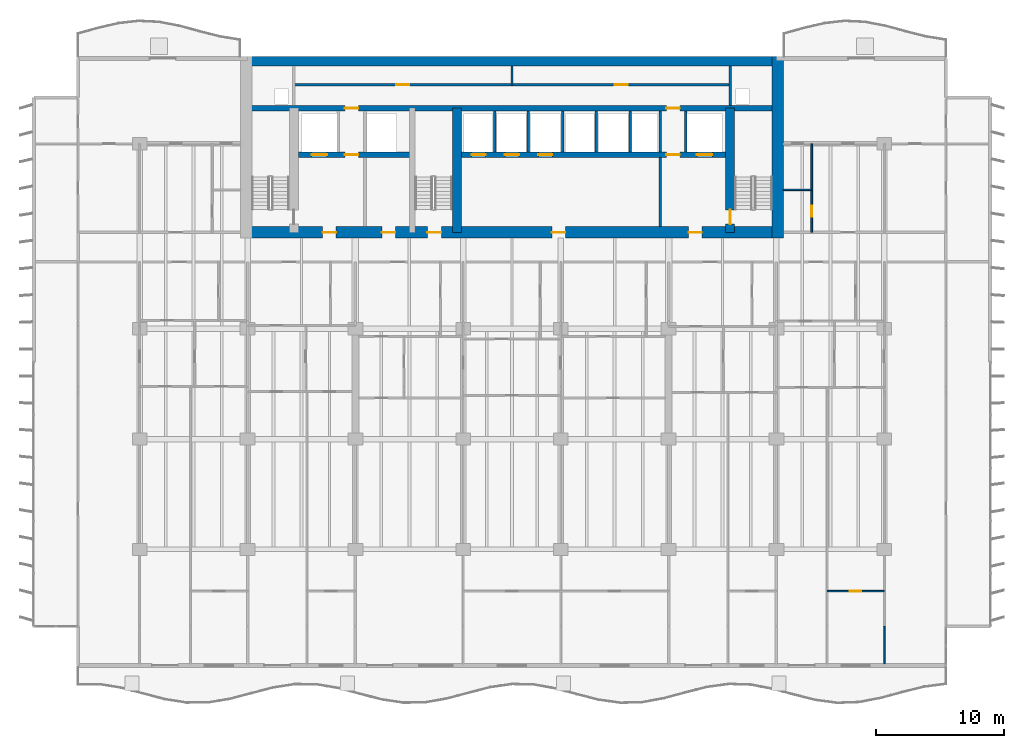
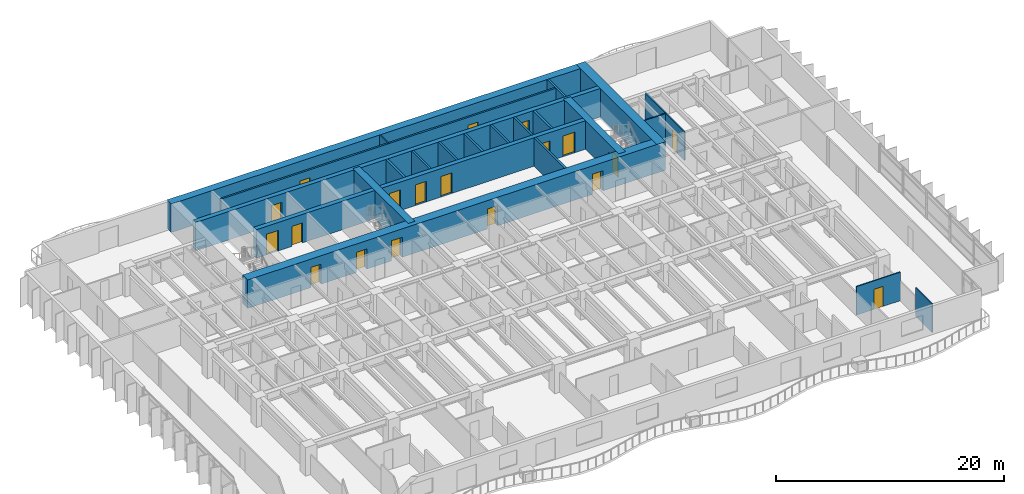
# One storey, part 11 of 17: 22 walls, 19 doors, 19 openings.
"""IFC4 building model written with IfcOpenShell, lengths in metres."""

import ifcopenshell
import ifcopenshell.guid

model = None  # the IFC model being written
_history = None  # IfcOwnerHistory: only IFC2X3 demands one
_inside = {}  # id of a spatial element -> (the spatial element, [elements in it])
_under = {}  # id of a project, library or spatial element -> (it, [spatial elements below it])
_declared = {}  # id of a project -> (the project, [libraries it declares])
_typed = {}  # id of a type object -> (the type object, [elements of that type])
_made_of = {}  # id of a material, layer set ... -> (it, [elements and type objects made of it])


def new_model(schema):
    """Start an empty IFC model of exactly this schema.

    Asked for "IFC4X3", IfcOpenShell would pick the latest addendum, in which some entities
    have other attributes; the version numbers below select the first issue.
    IFC2X3 requires an IfcOwnerHistory on every rooted entity: one is made here for all.
    """
    global model, _history
    if schema == "IFC4X3":
        model = ifcopenshell.file(schema_version=(4, 3, 0, 0))
    else:
        model = ifcopenshell.file(schema=schema)
    _inside.clear()
    _under.clear()
    _declared.clear()
    _typed.clear()
    _made_of.clear()
    _history = None
    if model.schema == "IFC2X3":
        org = make("IfcOrganization", Name="unknown")
        user = make(
            "IfcPersonAndOrganization",
            ThePerson=make("IfcPerson", FamilyName="unknown"),
            TheOrganization=org,
        )
        app = make(
            "IfcApplication",
            ApplicationDeveloper=org,
            Version="unknown",
            ApplicationFullName="unknown",
            ApplicationIdentifier="unknown",
        )
        _history = make(
            "IfcOwnerHistory",
            OwningUser=user,
            OwningApplication=app,
            ChangeAction="ADDED",
            CreationDate=0,
        )
    return model


def make(cls, **values):
    """One entity of the class cls with the attributes given. An attribute that is None is left unset."""
    return model.create_entity(
        cls, **{name: value for name, value in values.items() if value is not None}
    )


def rooted(cls, **values):
    """An entity with a GlobalId (a new one), such as an element, a storey or a relation."""
    return make(cls, GlobalId=ifcopenshell.guid.new(), OwnerHistory=_history, **values)


def si_unit(unit_type, name, prefix=None):
    """IfcSIUnit, for example si_unit("LENGTHUNIT", "METRE", prefix="MILLI")."""
    return make("IfcSIUnit", UnitType=unit_type, Prefix=prefix, Name=name)


def assignment(units):
    """IfcUnitAssignment: the units of a project."""
    return None if units is None else make("IfcUnitAssignment", Units=units)


def point(xyz):
    """IfcCartesianPoint."""
    return None if xyz is None else make("IfcCartesianPoint", Coordinates=xyz)


def direction(xyz):
    """IfcDirection."""
    return None if xyz is None else make("IfcDirection", DirectionRatios=xyz)


def frame(location, z_axis=None, x_axis=None):
    """IfcAxis2Placement3D, a coordinate frame: its origin and axes. An axis left out is left unset."""
    return make(
        "IfcAxis2Placement3D",
        Location=point(location),
        Axis=direction(z_axis),
        RefDirection=direction(x_axis),
    )


def frame_2d(location, x_axis=None):
    """IfcAxis2Placement2D, a coordinate frame in the plane: its origin and x axis."""
    return make(
        "IfcAxis2Placement2D", Location=point(location), RefDirection=direction(x_axis)
    )


def origin():
    """The frame at (0, 0, 0) with its axes left unset."""
    return frame((0.0, 0.0, 0.0))


def place(relative_to, where):
    """IfcLocalPlacement: puts the frame where relative to a parent placement (None: the world)."""
    return make(
        "IfcLocalPlacement", PlacementRelTo=relative_to, RelativePlacement=where
    )


def context(
    kind, dimensions, precision=None, world=None, true_north=None, identifier=None
):
    """IfcGeometricRepresentationContext, for example the 3D "Model" context."""
    return make(
        "IfcGeometricRepresentationContext",
        ContextIdentifier=identifier,
        ContextType=kind,
        CoordinateSpaceDimension=dimensions,
        Precision=precision,
        WorldCoordinateSystem=world,
        TrueNorth=true_north,
    )


def subcontext(parent, identifier, kind, view, scale=None):
    """IfcGeometricRepresentationSubContext, for example "Body" below "Model"."""
    return make(
        "IfcGeometricRepresentationSubContext",
        ContextIdentifier=identifier,
        ContextType=kind,
        ParentContext=parent,
        TargetScale=scale,
        TargetView=view,
    )


def project(units=None, contexts=None):
    """IfcProject with its units and contexts."""
    return rooted(
        "IfcProject",
        Name="project",
        RepresentationContexts=contexts,
        UnitsInContext=assignment(units),
    )


def spatial(cls, under=None, at=None, **own):
    """A site, building, storey or space (cls), placed at a placement, below another one or the project."""
    s = rooted(cls, ObjectPlacement=at, **own)
    if under is not None:
        _under.setdefault(under.id(), (under, []))[1].append(s)
    return s


def profile(cls, at=None, kind="AREA", **sizes):
    """A parametric profile (cls). Its sizes go by their IFC names, for example OverallWidth=200.0."""
    return make(cls, ProfileType=kind, Position=at, **sizes)


def rectangle(**sizes):
    """IfcRectangleProfileDef."""
    return profile("IfcRectangleProfileDef", **sizes)


def extrude(swept, where, along, depth):
    """IfcExtrudedAreaSolid: the profile swept, set in the frame where, extruded along a direction by depth."""
    return make(
        "IfcExtrudedAreaSolid",
        SweptArea=swept,
        Position=where,
        ExtrudedDirection=direction(along),
        Depth=depth,
    )


def shape(context_of_items, identifier, shape_type, items):
    """IfcShapeRepresentation: the items that make up one representation, for example the "Body"."""
    return make(
        "IfcShapeRepresentation",
        ContextOfItems=context_of_items,
        RepresentationIdentifier=identifier,
        RepresentationType=shape_type,
        Items=items,
    )


def material(Name=None, Category=None):
    """IfcMaterial."""
    return make("IfcMaterial", Name=Name, Category=Category)


def layer(
    of_material, thickness, ventilated=None, Name=None, Category=None, Priority=None
):
    """IfcMaterialLayer: one layer of a wall or slab, of a material (None: an air gap)."""
    return make(
        "IfcMaterialLayer",
        Material=of_material,
        LayerThickness=thickness,
        IsVentilated=ventilated,
        Name=Name,
        Category=Category,
        Priority=Priority,
    )


def layer_set(layers, Name=None):
    """IfcMaterialLayerSet."""
    return make("IfcMaterialLayerSet", MaterialLayers=layers, LayerSetName=Name)


def made_of(thing, what):
    """Note that an element or type object is made of a material, layer set ...; save() writes the relation."""
    if what is not None:
        _made_of.setdefault(what.id(), (what, []))[1].append(thing)
    return thing


def type_object(cls, material=None, **own):
    """A type object (cls), such as IfcWallType, which elements share."""
    return made_of(rooted(cls, **own), material)


def element(
    cls,
    number,
    at=None,
    inside=None,
    cuts=None,
    type_object=None,
    material=None,
    context=None,
    identifier="Body",
    shape_type=None,
    held_by="IfcProductDefinitionShape",
    body=None,
    shapes=None,
    **own,
):
    """One element of the class cls, such as IfcWall. Its Tag is "e" and its number.

    at: its placement. inside: the storey or other place that contains it. cuts: it is an
    opening in that element (IfcRelVoidsElement). A single representation is given by context,
    identifier, shape_type and body (its items); several are given by shapes. held_by: the class
    of the entity that holds the representations. save() writes the other relations.
    """
    e = rooted(cls, Tag="e%d" % number, ObjectPlacement=at, **own)
    if body is not None:
        shapes = [shape(context, identifier, shape_type, body)]
    if shapes is not None:
        e.Representation = make(held_by, Representations=shapes)
    if inside is not None:
        _inside.setdefault(inside.id(), (inside, []))[1].append(e)
    if cuts is not None:
        rooted(
            "IfcRelVoidsElement", RelatingBuildingElement=cuts, RelatedOpeningElement=e
        )
    if type_object is not None:
        _typed.setdefault(type_object.id(), (type_object, []))[1].append(e)
    return made_of(e, material)


def fill(opening, filler):
    """IfcRelFillsElement: the door or window that sits in an opening."""
    return rooted(
        "IfcRelFillsElement",
        RelatingOpeningElement=opening,
        RelatedBuildingElement=filler,
    )


def aggregate(whole, parts):
    """IfcRelAggregates: a whole, such as a stair, and the parts it consists of."""
    return rooted("IfcRelAggregates", RelatingObject=whole, RelatedObjects=parts)


def save(model, path):
    """Write the relations noted so far, then the file.

    IfcRelAggregates (storeys below a building ...), IfcRelContainedInSpatialStructure (elements
    in a storey), IfcRelDefinesByType, IfcRelAssociatesMaterial and IfcRelDeclares: one each for
    every whole, place, type object, material and project.
    """
    for whole, parts in _under.values():
        aggregate(whole, parts)
    for where, things in _inside.values():
        rooted(
            "IfcRelContainedInSpatialStructure",
            RelatedElements=things,
            RelatingStructure=where,
        )
    for kind, things in _typed.values():
        rooted("IfcRelDefinesByType", RelatedObjects=things, RelatingType=kind)
    for what, things in _made_of.values():
        rooted("IfcRelAssociatesMaterial", RelatedObjects=things, RelatingMaterial=what)
    for by, libraries in _declared.values():
        rooted("IfcRelDeclares", RelatingContext=by, RelatedDefinitions=libraries)
    model.write(path)


model = new_model("IFC4")

# Units and contexts
model_context = context("Model", 3, precision=1e-05, world=origin(), true_north=direction((0.0, 1.0)))
body_context = subcontext(model_context, "Body", "Model", "MODEL_VIEW")
ifc_project = project(units=[si_unit("LENGTHUNIT", "METRE"), si_unit("AREAUNIT", "SQUARE_METRE"), si_unit("VOLUMEUNIT", "CUBIC_METRE"), si_unit("PLANEANGLEUNIT", "RADIAN"), si_unit("MASSUNIT", "GRAM", prefix="KILO")], contexts=[model_context])

# Site, building, storey
site_placement = place(None, origin())
site = spatial("IfcSite", under=ifc_project, at=site_placement, CompositionType="ELEMENT")
building_placement = place(site_placement, origin())
building = spatial("IfcBuilding", under=site, at=building_placement, Name="Caelmar Bay Residences", CompositionType="ELEMENT")
storey_placement = place(building_placement, frame((0.0, 0.0, 53.10009765625)))
storey = spatial("IfcBuildingStorey", under=building, at=storey_placement, Name="L13", CompositionType="ELEMENT", Elevation=53.10009765625)

# Wall, opening, door
ifc_material_1 = material(Name="Concrete f'c 55 MPa (8,000 psi)", Category="concrete")
ifc_layer_1 = layer(ifc_material_1, 0.699951171875)
ifc_layer_set_1 = layer_set([ifc_layer_1], Name="Concrete f'c 55 MPa (8,000 psi)")
wall_type_1 = type_object("IfcWallType", Name="SW-COR-700", PredefinedType="SHEAR", material=ifc_layer_set_1)
wall_1_placement = place(storey_placement, frame((55.89990234375, 36.89990234375, 0.0), z_axis=(0.0, 0.0, 1.0), x_axis=(0.0, 1.0, 0.0)))
wall_1 = element("IfcWall", 1, at=wall_1_placement, inside=storey, type_object=wall_type_1, Name="L13 Core Structural Web Wall ST2W", PredefinedType="SHEAR", context=body_context, shape_type="SweptSolid", body=[
    extrude(rectangle(XDim=9.675048828125, YDim=0.699951171875, at=frame_2d((4.83740234375, 0.0))), origin(), (0.0, 0.0, 1.0), 3.0498046875),
])
opening_1_placement = place(wall_1_placement, frame((0.64990234375, 0.0, 0.0)))
opening_1 = element("IfcOpeningElement", 2, at=opening_1_placement, cuts=wall_1, Name="Opening D-L13-111", PredefinedType="OPENING", context=body_context, shape_type="SweptSolid", body=[
    extrude(rectangle(XDim=1.10009765625, YDim=2.14990234375, at=frame_2d((0.550048828125, 1.074951171875))), frame((0.0, 0.35986328125, 0.0), z_axis=(0.0, -1.0, 0.0), x_axis=(1.0, 0.0, 0.0)), (0.0, 0.0, 1.0), 0.719970703125),
])
ifc_material_2 = material(Name="Fire-rated steel and walnut architectural door assembly", Category="steel")
ifc_layer_2 = layer(ifc_material_2, 0.050048828125)
ifc_layer_set_2 = layer_set([ifc_layer_2], Name="Fire-rated steel and walnut architectural door assembly")
door_type_1 = type_object("IfcDoorType", Name="D-STAIR-1100", OperationType="NOTDEFINED", PredefinedType="DOOR", material=ifc_layer_set_2)
door_1_placement = place(opening_1_placement, origin())
door_1 = element("IfcDoor", 3, at=door_1_placement, inside=storey, type_object=door_type_1, Name="L13 Firefighting Lobby East Door", OperationType="SINGLE_SWING_RIGHT", OverallHeight=2.14990234375, OverallWidth=1.10009765625, PredefinedType="DOOR", context=body_context, shape_type="SweptSolid", body=[
    extrude(rectangle(XDim=1.10009765625, YDim=2.14990234375, at=frame_2d((0.550048828125, 1.074951171875))), frame((0.0, 0.02490234375, 0.0), z_axis=(0.0, -1.0, 0.0), x_axis=(1.0, 0.0, 0.0)), (0.0, 0.0, 1.0), 0.050048828125),
])
fill(opening_1, door_1)

# Wall
wall_2_placement = place(storey_placement, frame((34.60009765625, 36.89990234375, 0.0), z_axis=(0.0, 0.0, 1.0), x_axis=(0.0, 1.0, 0.0)))
element("IfcWall", 4, at=wall_2_placement, inside=storey, type_object=wall_type_1, Name="L13 Core Structural Web Wall ST3E", PredefinedType="SHEAR", context=body_context, shape_type="SweptSolid", body=[
    extrude(rectangle(XDim=9.675048828125, YDim=0.699951171875, at=frame_2d((4.83740234375, 0.0))), origin(), (0.0, 0.0, 1.0), 3.0498046875),
])

# Wall, openings, doors
ifc_material_3 = material(Name="Concrete f'c 70 MPa (10,000 psi)", Category="concrete")
ifc_layer_3 = layer(ifc_material_3, 0.89990234375)
ifc_layer_set_3 = layer_set([ifc_layer_3], Name="Concrete f'c 70 MPa (10,000 psi)")
wall_type_2 = type_object("IfcWallType", Name="SW-COR-900", PredefinedType="SHEAR", material=ifc_layer_set_3)
wall_3_placement = place(storey_placement, frame((17.75, 36.89990234375, 0.0), z_axis=(0.0, 0.0, 1.0), x_axis=(1.0, 0.0, 0.0)))
wall_3 = element("IfcWall", 5, at=wall_3_placement, inside=storey, type_object=wall_type_2, Name="L13 Rear Core South Shear Wall", PredefinedType="SHEAR", context=body_context, shape_type="SweptSolid", body=[
    extrude(rectangle(XDim=42.300048828125, YDim=0.89990234375, at=frame_2d((21.14990234375, 0.0))), origin(), (0.0, 0.0, 1.0), 3.0498046875),
])
opening_2_placement = place(wall_3_placement, frame((14.550048828125, 0.0, 0.0)))
opening_2 = element("IfcOpeningElement", 6, at=opening_2_placement, cuts=wall_3, Name="Opening D-L13-106", PredefinedType="OPENING", context=body_context, shape_type="SweptSolid", body=[
    extrude(rectangle(XDim=1.10009765625, YDim=2.14990234375, at=frame_2d((0.550048828125, 1.074951171875))), frame((0.0, 0.4599609375, 0.0), z_axis=(0.0, -1.0, 0.0), x_axis=(1.0, 0.0, 0.0)), (0.0, 0.0, 1.0), 0.919921875),
])
opening_3_placement = place(wall_3_placement, frame((6.39990234375, 0.0, 0.0)))
opening_3 = element("IfcOpeningElement", 7, at=opening_3_placement, cuts=wall_3, Name="Opening D-L13-107", PredefinedType="OPENING", context=body_context, shape_type="SweptSolid", body=[
    extrude(rectangle(XDim=1.050048828125, YDim=2.14990234375, at=frame_2d((0.52490234375, 1.074951171875))), frame((0.0, 0.4599609375, 0.0), z_axis=(0.0, -1.0, 0.0), x_axis=(1.0, 0.0, 0.0)), (0.0, 0.0, 1.0), 0.919921875),
])
opening_4_placement = place(wall_3_placement, frame((34.89990234375, 0.0, 0.0)))
opening_4 = element("IfcOpeningElement", 8, at=opening_4_placement, cuts=wall_3, Name="Opening D-L13-110", PredefinedType="OPENING", context=body_context, shape_type="SweptSolid", body=[
    extrude(rectangle(XDim=1.050048828125, YDim=2.14990234375, at=frame_2d((0.52490234375, 1.074951171875))), frame((0.0, 0.4599609375, 0.0), z_axis=(0.0, -1.0, 0.0), x_axis=(1.0, 0.0, 0.0)), (0.0, 0.0, 1.0), 0.919921875),
])
opening_5_placement = place(wall_3_placement, frame((11.012451171875, 0.0, 0.0)))
opening_5 = element("IfcOpeningElement", 9, at=opening_5_placement, cuts=wall_3, Name="Opening D-L13-113", PredefinedType="OPENING", context=body_context, shape_type="SweptSolid", body=[
    extrude(rectangle(XDim=1.050048828125, YDim=2.14990234375, at=frame_2d((0.52490234375, 1.074951171875))), frame((0.0, 0.4599609375, 0.0), z_axis=(0.0, -1.0, 0.0), x_axis=(1.0, 0.0, 0.0)), (0.0, 0.0, 1.0), 0.919921875),
])
opening_6_placement = place(wall_3_placement, frame((24.25, 0.0, 0.0)))
opening_6 = element("IfcOpeningElement", 10, at=opening_6_placement, cuts=wall_3, Name="Opening D-L13-114", PredefinedType="OPENING", context=body_context, shape_type="SweptSolid", body=[
    extrude(rectangle(XDim=1.050048828125, YDim=2.14990234375, at=frame_2d((0.52490234375, 1.074951171875))), frame((0.0, 0.4599609375, 0.0), z_axis=(0.0, -1.0, 0.0), x_axis=(1.0, 0.0, 0.0)), (0.0, 0.0, 1.0), 0.919921875),
])
ifc_layer_4 = layer(ifc_material_2, 0.050048828125)
ifc_layer_set_4 = layer_set([ifc_layer_4], Name="Fire-rated steel and walnut architectural door assembly")
door_type_2 = type_object("IfcDoorType", Name="D-FSAE-1050", OperationType="NOTDEFINED", PredefinedType="DOOR", material=ifc_layer_set_4)
door_2_placement = place(opening_3_placement, origin())
door_2 = element("IfcDoor", 11, at=door_2_placement, inside=storey, type_object=door_type_2, Name="L13 Firefighting Lobby West Door", OperationType="SINGLE_SWING_RIGHT", OverallHeight=2.14990234375, OverallWidth=1.050048828125, PredefinedType="DOOR", context=body_context, shape_type="SweptSolid", body=[
    extrude(rectangle(XDim=1.050048828125, YDim=2.14990234375, at=frame_2d((0.52490234375, 1.074951171875))), frame((0.0, 0.02490234375, 0.0), z_axis=(0.0, -1.0, 0.0), x_axis=(1.0, 0.0, 0.0)), (0.0, 0.0, 1.0), 0.050048828125),
])
fill(opening_3, door_2)
door_3_placement = place(opening_4_placement, origin())
door_3 = element("IfcDoor", 12, at=door_3_placement, inside=storey, type_object=door_type_2, Name="L13 Firefighting Lobby East Door", OperationType="SINGLE_SWING_LEFT", OverallHeight=2.14990234375, OverallWidth=1.050048828125, PredefinedType="DOOR", context=body_context, shape_type="SweptSolid", body=[
    extrude(rectangle(XDim=1.050048828125, YDim=2.14990234375, at=frame_2d((0.52490234375, 1.074951171875))), frame((0.0, 0.02490234375, 0.0), z_axis=(0.0, -1.0, 0.0), x_axis=(1.0, 0.0, 0.0)), (0.0, 0.0, 1.0), 0.050048828125),
])
fill(opening_4, door_3)
door_4_placement = place(opening_5_placement, origin())
door_4 = element("IfcDoor", 13, at=door_4_placement, inside=storey, type_object=door_type_2, Name="L13 West Lift Lobby Door", OperationType="SINGLE_SWING_RIGHT", OverallHeight=2.14990234375, OverallWidth=1.050048828125, PredefinedType="DOOR", context=body_context, shape_type="SweptSolid", body=[
    extrude(rectangle(XDim=1.050048828125, YDim=2.14990234375, at=frame_2d((0.52490234375, 1.074951171875))), frame((0.0, 0.02490234375, 0.0), z_axis=(0.0, -1.0, 0.0), x_axis=(1.0, 0.0, 0.0)), (0.0, 0.0, 1.0), 0.050048828125),
])
fill(opening_5, door_4)
door_5_placement = place(opening_6_placement, origin())
door_5 = element("IfcDoor", 14, at=door_5_placement, inside=storey, type_object=door_type_2, Name="L13 Passenger Lift Lobby Door", OperationType="SINGLE_SWING_LEFT", OverallHeight=2.14990234375, OverallWidth=1.050048828125, PredefinedType="DOOR", context=body_context, shape_type="SweptSolid", body=[
    extrude(rectangle(XDim=1.050048828125, YDim=2.14990234375, at=frame_2d((0.52490234375, 1.074951171875))), frame((0.0, 0.02490234375, 0.0), z_axis=(0.0, -1.0, 0.0), x_axis=(1.0, 0.0, 0.0)), (0.0, 0.0, 1.0), 0.050048828125),
])
fill(opening_6, door_5)
door_6_placement = place(opening_2_placement, origin())
door_6 = element("IfcDoor", 15, at=door_6_placement, inside=storey, type_object=door_type_1, Name="L13 Exit Stair ST3 Door", OperationType="SINGLE_SWING_LEFT", OverallHeight=2.14990234375, OverallWidth=1.10009765625, PredefinedType="DOOR", context=body_context, shape_type="SweptSolid", body=[
    extrude(rectangle(XDim=1.10009765625, YDim=2.14990234375, at=frame_2d((0.550048828125, 1.074951171875))), frame((0.0, 0.02490234375, 0.0), z_axis=(0.0, -1.0, 0.0), x_axis=(1.0, 0.0, 0.0)), (0.0, 0.0, 1.0), 0.050048828125),
])
fill(opening_2, door_6)

# Walls
wall_4_placement = place(storey_placement, frame((59.60009765625, 36.449951171875, 0.0), z_axis=(0.0, 0.0, 1.0), x_axis=(0.0, 1.0, 0.0)))
element("IfcWall", 16, at=wall_4_placement, inside=storey, type_object=wall_type_2, Name="L13 Rear Core East Shear Wall", PredefinedType="SHEAR", context=body_context, shape_type="SweptSolid", body=[
    extrude(rectangle(XDim=14.150146484375, YDim=0.89990234375, at=frame_2d((7.0751953125, 0.0))), origin(), (0.0, 0.0, 1.0), 3.0498046875),
])
ifc_layer_5 = layer(ifc_material_3, 0.75)
ifc_layer_set_5 = layer_set([ifc_layer_5], Name="Concrete f'c 70 MPa (10,000 psi)")
wall_type_3 = type_object("IfcWallType", Name="SW-CORN-750", PredefinedType="SHEAR", material=ifc_layer_set_5)
wall_5_placement = place(storey_placement, frame((17.75, 50.22509765625, 0.0), z_axis=(0.0, 0.0, 1.0), x_axis=(1.0, 0.0, 0.0)))
element("IfcWall", 17, at=wall_5_placement, inside=storey, type_object=wall_type_3, Name="L13 Rear Core North Shear Wall", PredefinedType="SHEAR", context=body_context, shape_type="SweptSolid", body=[
    extrude(rectangle(XDim=42.300048828125, YDim=0.75, at=frame_2d((21.14990234375, 0.0))), origin(), (0.0, 0.0, 1.0), 3.0498046875),
])

# Wall, openings, doors
ifc_layer_6 = layer(ifc_material_3, 0.449951171875)
ifc_layer_set_6 = layer_set([ifc_layer_6], Name="Concrete f'c 70 MPa (10,000 psi)")
wall_type_4 = type_object("IfcWallType", Name="SW-WEB-450", PredefinedType="SHEAR", material=ifc_layer_set_6)
wall_6_placement = place(storey_placement, frame((22.25, 42.949951171875, 0.0), z_axis=(0.0, 0.0, 1.0), x_axis=(1.0, 0.0, 0.0)))
wall_6 = element("IfcWall", 18, at=wall_6_placement, inside=storey, type_object=wall_type_4, Name="L13 Core Structural Web Wall LFR", PredefinedType="SHEAR", context=body_context, shape_type="SweptSolid", body=[
    extrude(rectangle(XDim=33.300048828125, YDim=0.449951171875, at=frame_2d((16.64990234375, 0.0))), origin(), (0.0, 0.0, 1.0), 3.0498046875),
])
opening_7_placement = place(wall_6_placement, frame((1.050048828125, 0.0, 0.0)))
opening_7 = element("IfcOpeningElement", 19, at=opening_7_placement, cuts=wall_6, Name="Opening LD2", PredefinedType="OPENING", context=body_context, shape_type="SweptSolid", body=[
    extrude(rectangle(XDim=1.199951171875, YDim=2.199951171875, at=frame_2d((0.60009765625, 1.10009765625))), frame((0.0, 0.23486328125, 0.0), z_axis=(0.0, -1.0, 0.0), x_axis=(1.0, 0.0, 0.0)), (0.0, 0.0, 1.0), 0.469970703125),
])
opening_8_placement = place(wall_6_placement, frame((31.050048828125, 0.0, 0.0)))
opening_8 = element("IfcOpeningElement", 20, at=opening_8_placement, cuts=wall_6, Name="Opening LD2", PredefinedType="OPENING", context=body_context, shape_type="SweptSolid", body=[
    extrude(rectangle(XDim=1.199951171875, YDim=2.199951171875, at=frame_2d((0.60009765625, 1.10009765625))), frame((0.0, 0.23486328125, 0.0), z_axis=(0.0, -1.0, 0.0), x_axis=(1.0, 0.0, 0.0)), (0.0, 0.0, 1.0), 0.469970703125),
])
opening_9_placement = place(wall_6_placement, frame((13.5, 0.0, 0.0)))
opening_9 = element("IfcOpeningElement", 21, at=opening_9_placement, cuts=wall_6, Name="Opening LD1", PredefinedType="OPENING", context=body_context, shape_type="SweptSolid", body=[
    extrude(rectangle(XDim=1.10009765625, YDim=2.199951171875, at=frame_2d((0.550048828125, 1.10009765625))), frame((0.0, 0.23486328125, 0.0), z_axis=(0.0, -1.0, 0.0), x_axis=(1.0, 0.0, 0.0)), (0.0, 0.0, 1.0), 0.469970703125),
])
opening_10_placement = place(wall_6_placement, frame((16.10009765625, 0.0, 0.0)))
opening_10 = element("IfcOpeningElement", 22, at=opening_10_placement, cuts=wall_6, Name="Opening LD1", PredefinedType="OPENING", context=body_context, shape_type="SweptSolid", body=[
    extrude(rectangle(XDim=1.10009765625, YDim=2.199951171875, at=frame_2d((0.550048828125, 1.10009765625))), frame((0.0, 0.23486328125, 0.0), z_axis=(0.0, -1.0, 0.0), x_axis=(1.0, 0.0, 0.0)), (0.0, 0.0, 1.0), 0.469970703125),
])
opening_11_placement = place(wall_6_placement, frame((18.699951171875, 0.0, 0.0)))
opening_11 = element("IfcOpeningElement", 23, at=opening_11_placement, cuts=wall_6, Name="Opening LD1", PredefinedType="OPENING", context=body_context, shape_type="SweptSolid", body=[
    extrude(rectangle(XDim=1.10009765625, YDim=2.199951171875, at=frame_2d((0.550048828125, 1.10009765625))), frame((0.0, 0.23486328125, 0.0), z_axis=(0.0, -1.0, 0.0), x_axis=(1.0, 0.0, 0.0)), (0.0, 0.0, 1.0), 0.469970703125),
])
opening_12_placement = place(wall_6_placement, frame((3.625, 0.0, 0.0)))
opening_12 = element("IfcOpeningElement", 24, at=opening_12_placement, cuts=wall_6, Name="Opening D-L13-109", PredefinedType="OPENING", context=body_context, shape_type="SweptSolid", body=[
    extrude(rectangle(XDim=1.050048828125, YDim=2.14990234375, at=frame_2d((0.52490234375, 1.074951171875))), frame((0.0, 0.23486328125, 0.0), z_axis=(0.0, -1.0, 0.0), x_axis=(1.0, 0.0, 0.0)), (0.0, 0.0, 1.0), 0.469970703125),
])
opening_13_placement = place(wall_6_placement, frame((28.675048828125, 0.0, 0.0)))
opening_13 = element("IfcOpeningElement", 25, at=opening_13_placement, cuts=wall_6, Name="Opening D-L13-112", PredefinedType="OPENING", context=body_context, shape_type="SweptSolid", body=[
    extrude(rectangle(XDim=1.050048828125, YDim=2.14990234375, at=frame_2d((0.52490234375, 1.074951171875))), frame((0.0, 0.23486328125, 0.0), z_axis=(0.0, -1.0, 0.0), x_axis=(1.0, 0.0, 0.0)), (0.0, 0.0, 1.0), 0.469970703125),
])
door_7_placement = place(opening_12_placement, origin())
door_7 = element("IfcDoor", 26, at=door_7_placement, inside=storey, type_object=door_type_2, Name="L13 Firefighting Lobby West Door", OperationType="SINGLE_SWING_RIGHT", OverallHeight=2.14990234375, OverallWidth=1.050048828125, PredefinedType="DOOR", context=body_context, shape_type="SweptSolid", body=[
    extrude(rectangle(XDim=1.050048828125, YDim=2.14990234375, at=frame_2d((0.52490234375, 1.074951171875))), frame((0.0, 0.02490234375, 0.0), z_axis=(0.0, -1.0, 0.0), x_axis=(1.0, 0.0, 0.0)), (0.0, 0.0, 1.0), 0.050048828125),
])
fill(opening_12, door_7)
door_8_placement = place(opening_13_placement, origin())
door_8 = element("IfcDoor", 27, at=door_8_placement, inside=storey, type_object=door_type_2, Name="L13 Firefighting Lobby East Door", OperationType="SINGLE_SWING_LEFT", OverallHeight=2.14990234375, OverallWidth=1.050048828125, PredefinedType="DOOR", context=body_context, shape_type="SweptSolid", body=[
    extrude(rectangle(XDim=1.050048828125, YDim=2.14990234375, at=frame_2d((0.52490234375, 1.074951171875))), frame((0.0, 0.02490234375, 0.0), z_axis=(0.0, -1.0, 0.0), x_axis=(1.0, 0.0, 0.0)), (0.0, 0.0, 1.0), 0.050048828125),
])
fill(opening_13, door_8)
ifc_material_4 = material(Name="Brushed bronze stainless-steel fire-rated lift landing doors", Category="steel")
ifc_layer_7 = layer(ifc_material_4, 0.050048828125)
ifc_layer_set_7 = layer_set([ifc_layer_7], Name="Brushed bronze stainless-steel fire-rated lift landing doors")
door_type_3 = type_object("IfcDoorType", Name="D-LND-1100", OperationType="DOUBLE_DOOR_SLIDING", PredefinedType="DOOR", material=ifc_layer_set_7)
door_9_placement = place(opening_9_placement, origin())
door_9 = element("IfcDoor", 28, at=door_9_placement, inside=storey, type_object=door_type_3, Name="L13 LP1 Sliding Landing Door", OperationType="DOUBLE_DOOR_SLIDING", OverallHeight=2.199951171875, OverallWidth=1.10009765625, PredefinedType="DOOR", context=body_context, shape_type="SweptSolid", body=[
    extrude(rectangle(XDim=1.10009765625, YDim=2.199951171875, at=frame_2d((0.550048828125, 1.10009765625))), frame((0.0, 0.02490234375, 0.0), z_axis=(0.0, -1.0, 0.0), x_axis=(1.0, 0.0, 0.0)), (0.0, 0.0, 1.0), 0.050048828125),
])
fill(opening_9, door_9)
door_10_placement = place(opening_10_placement, origin())
door_10 = element("IfcDoor", 29, at=door_10_placement, inside=storey, type_object=door_type_3, Name="L13 LP2 Sliding Landing Door", OperationType="DOUBLE_DOOR_SLIDING", OverallHeight=2.199951171875, OverallWidth=1.10009765625, PredefinedType="DOOR", context=body_context, shape_type="SweptSolid", body=[
    extrude(rectangle(XDim=1.10009765625, YDim=2.199951171875, at=frame_2d((0.550048828125, 1.10009765625))), frame((0.0, 0.02490234375, 0.0), z_axis=(0.0, -1.0, 0.0), x_axis=(1.0, 0.0, 0.0)), (0.0, 0.0, 1.0), 0.050048828125),
])
fill(opening_10, door_10)
door_11_placement = place(opening_11_placement, origin())
door_11 = element("IfcDoor", 30, at=door_11_placement, inside=storey, type_object=door_type_3, Name="L13 LP3 Sliding Landing Door", OperationType="DOUBLE_DOOR_SLIDING", OverallHeight=2.199951171875, OverallWidth=1.10009765625, PredefinedType="DOOR", context=body_context, shape_type="SweptSolid", body=[
    extrude(rectangle(XDim=1.10009765625, YDim=2.199951171875, at=frame_2d((0.550048828125, 1.10009765625))), frame((0.0, 0.02490234375, 0.0), z_axis=(0.0, -1.0, 0.0), x_axis=(1.0, 0.0, 0.0)), (0.0, 0.0, 1.0), 0.050048828125),
])
fill(opening_11, door_11)
ifc_material_5 = material(Name="Brushed stainless-steel FSAE sliding landing door", Category="steel")
ifc_layer_8 = layer(ifc_material_5, 0.050048828125)
ifc_layer_set_8 = layer_set([ifc_layer_8], Name="Brushed stainless-steel FSAE sliding landing door")
door_type_4 = type_object("IfcDoorType", Name="D-LND-1200", OperationType="DOUBLE_DOOR_SLIDING", PredefinedType="DOOR", material=ifc_layer_set_8)
door_12_placement = place(opening_7_placement, origin())
door_12 = element("IfcDoor", 31, at=door_12_placement, inside=storey, type_object=door_type_4, Name="L13 LF1 Sliding Landing Door", OperationType="DOUBLE_DOOR_SLIDING", OverallHeight=2.199951171875, OverallWidth=1.199951171875, PredefinedType="DOOR", context=body_context, shape_type="SweptSolid", body=[
    extrude(rectangle(XDim=1.199951171875, YDim=2.199951171875, at=frame_2d((0.60009765625, 1.10009765625))), frame((0.0, 0.02490234375, 0.0), z_axis=(0.0, -1.0, 0.0), x_axis=(1.0, 0.0, 0.0)), (0.0, 0.0, 1.0), 0.050048828125),
])
fill(opening_7, door_12)
door_13_placement = place(opening_8_placement, origin())
door_13 = element("IfcDoor", 32, at=door_13_placement, inside=storey, type_object=door_type_4, Name="L13 LF2 Sliding Landing Door", OperationType="DOUBLE_DOOR_SLIDING", OverallHeight=2.199951171875, OverallWidth=1.199951171875, PredefinedType="DOOR", context=body_context, shape_type="SweptSolid", body=[
    extrude(rectangle(XDim=1.199951171875, YDim=2.199951171875, at=frame_2d((0.60009765625, 1.10009765625))), frame((0.0, 0.02490234375, 0.0), z_axis=(0.0, -1.0, 0.0), x_axis=(1.0, 0.0, 0.0)), (0.0, 0.0, 1.0), 0.050048828125),
])
fill(opening_8, door_13)

wall_7_placement = place(storey_placement, frame((18.199951171875, 46.574951171875, 0.0), z_axis=(0.0, 0.0, 1.0), x_axis=(1.0, 0.0, 0.0)))
wall_7 = element("IfcWall", 33, at=wall_7_placement, inside=storey, type_object=wall_type_4, Name="L13 Core Structural Web Wall SRVS", PredefinedType="SHEAR", context=body_context, shape_type="SweptSolid", body=[
    extrude(rectangle(XDim=41.400146484375, YDim=0.449951171875, at=frame_2d((20.7001953125, 0.0))), origin(), (0.0, 0.0, 1.0), 3.0498046875),
])
opening_14_placement = place(wall_7_placement, frame((7.675048828125, 0.0, 0.0)))
opening_14 = element("IfcOpeningElement", 34, at=opening_14_placement, cuts=wall_7, Name="Opening D-L13-115", PredefinedType="OPENING", context=body_context, shape_type="SweptSolid", body=[
    extrude(rectangle(XDim=1.050048828125, YDim=2.14990234375, at=frame_2d((0.52490234375, 1.074951171875))), frame((0.0, 0.23486328125, 0.0), z_axis=(0.0, -1.0, 0.0), x_axis=(1.0, 0.0, 0.0)), (0.0, 0.0, 1.0), 0.469970703125),
])
opening_15_placement = place(wall_7_placement, frame((32.72509765625, 0.0, 0.0)))
opening_15 = element("IfcOpeningElement", 35, at=opening_15_placement, cuts=wall_7, Name="Opening D-L13-116", PredefinedType="OPENING", context=body_context, shape_type="SweptSolid", body=[
    extrude(rectangle(XDim=1.050048828125, YDim=2.14990234375, at=frame_2d((0.52490234375, 1.074951171875))), frame((0.0, 0.23486328125, 0.0), z_axis=(0.0, -1.0, 0.0), x_axis=(1.0, 0.0, 0.0)), (0.0, 0.0, 1.0), 0.469970703125),
])
door_14_placement = place(opening_14_placement, origin())
door_14 = element("IfcDoor", 36, at=door_14_placement, inside=storey, type_object=door_type_2, Name="L13 Core Service Corridor Door", OperationType="SINGLE_SWING_RIGHT", OverallHeight=2.14990234375, OverallWidth=1.050048828125, PredefinedType="DOOR", context=body_context, shape_type="SweptSolid", body=[
    extrude(rectangle(XDim=1.050048828125, YDim=2.14990234375, at=frame_2d((0.52490234375, 1.074951171875))), frame((0.0, 0.02490234375, 0.0), z_axis=(0.0, -1.0, 0.0), x_axis=(1.0, 0.0, 0.0)), (0.0, 0.0, 1.0), 0.050048828125),
])
fill(opening_14, door_14)
door_15_placement = place(opening_15_placement, origin())
door_15 = element("IfcDoor", 37, at=door_15_placement, inside=storey, type_object=door_type_2, Name="L13 Core Service Corridor Door", OperationType="SINGLE_SWING_LEFT", OverallHeight=2.14990234375, OverallWidth=1.050048828125, PredefinedType="DOOR", context=body_context, shape_type="SweptSolid", body=[
    extrude(rectangle(XDim=1.050048828125, YDim=2.14990234375, at=frame_2d((0.52490234375, 1.074951171875))), frame((0.0, 0.02490234375, 0.0), z_axis=(0.0, -1.0, 0.0), x_axis=(1.0, 0.0, 0.0)), (0.0, 0.0, 1.0), 0.050048828125),
])
fill(opening_15, door_15)

ifc_material_6 = material(Name="Double-stud acoustic fire-rated gypsum partition 180 mm")
ifc_layer_9 = layer(ifc_material_6, 0.179931640625)
ifc_layer_set_9 = layer_set([ifc_layer_9], Name="Double-stud acoustic fire-rated gypsum partition 180 mm")
wall_type_5 = type_object("IfcWallType", Name="W-COR-200", PredefinedType="PARTITIONING", material=ifc_layer_set_9)
wall_8_placement = place(storey_placement, frame((21.89990234375, 48.39990234375, 0.0), z_axis=(0.0, 0.0, 1.0), x_axis=(1.0, 0.0, 0.0)))
wall_8 = element("IfcWall", 38, at=wall_8_placement, inside=storey, type_object=wall_type_5, Name="L13 Partition Wall H141", PredefinedType="PARTITIONING", context=body_context, shape_type="SweptSolid", body=[
    extrude(rectangle(XDim=34.0, YDim=0.179931640625, at=frame_2d((17.0, 0.0))), origin(), (0.0, 0.0, 1.0), 3.0498046875),
])
opening_16_placement = place(wall_8_placement, frame((8.0, 0.0, 0.0)))
opening_16 = element("IfcOpeningElement", 39, at=opening_16_placement, cuts=wall_8, Name="Opening D-L13-117", PredefinedType="OPENING", context=body_context, shape_type="SweptSolid", body=[
    extrude(rectangle(XDim=1.0, YDim=2.199951171875, at=frame_2d((0.5, 1.10009765625))), frame((0.0, 0.099853515625, 0.0), z_axis=(0.0, -1.0, 0.0), x_axis=(1.0, 0.0, 0.0)), (0.0, 0.0, 1.0), 0.199951171875),
])
opening_17_placement = place(wall_8_placement, frame((25.0, 0.0, 0.0)))
opening_17 = element("IfcOpeningElement", 40, at=opening_17_placement, cuts=wall_8, Name="Opening D-L13-118", PredefinedType="OPENING", context=body_context, shape_type="SweptSolid", body=[
    extrude(rectangle(XDim=1.0, YDim=2.199951171875, at=frame_2d((0.5, 1.10009765625))), frame((0.0, 0.099853515625, 0.0), z_axis=(0.0, -1.0, 0.0), x_axis=(1.0, 0.0, 0.0)), (0.0, 0.0, 1.0), 0.199951171875),
])
ifc_layer_10 = layer(ifc_material_2, 0.050048828125)
ifc_layer_set_10 = layer_set([ifc_layer_10], Name="Fire-rated steel and walnut architectural door assembly")
door_type_5 = type_object("IfcDoorType", Name="D-UNIT-1000", OperationType="NOTDEFINED", PredefinedType="DOOR", material=ifc_layer_set_10)
door_16_placement = place(opening_16_placement, origin())
door_16 = element("IfcDoor", 41, at=door_16_placement, inside=storey, type_object=door_type_5, Name="L13 Building Management Office Door", OperationType="SINGLE_SWING_RIGHT", OverallHeight=2.199951171875, OverallWidth=1.0, PredefinedType="DOOR", context=body_context, shape_type="SweptSolid", body=[
    extrude(rectangle(XDim=1.0, YDim=2.199951171875, at=frame_2d((0.5, 1.10009765625))), frame((0.0, 0.02490234375, 0.0), z_axis=(0.0, -1.0, 0.0), x_axis=(1.0, 0.0, 0.0)), (0.0, 0.0, 1.0), 0.050048828125),
])
fill(opening_16, door_16)
door_17_placement = place(opening_17_placement, origin())
door_17 = element("IfcDoor", 42, at=door_17_placement, inside=storey, type_object=door_type_5, Name="L13 Concierge Operations Office Door", OperationType="SINGLE_SWING_LEFT", OverallHeight=2.199951171875, OverallWidth=1.0, PredefinedType="DOOR", context=body_context, shape_type="SweptSolid", body=[
    extrude(rectangle(XDim=1.0, YDim=2.199951171875, at=frame_2d((0.5, 1.10009765625))), frame((0.0, 0.02490234375, 0.0), z_axis=(0.0, -1.0, 0.0), x_axis=(1.0, 0.0, 0.0)), (0.0, 0.0, 1.0), 0.050048828125),
])
fill(opening_17, door_17)

# Walls
ifc_material_7 = material(Name="Fire-rated masonry and gypsum shaftliner assembly 200 mm", Category="masonry")
ifc_layer_11 = layer(ifc_material_7, 0.199951171875)
ifc_layer_set_11 = layer_set([ifc_layer_11], Name="Fire-rated masonry and gypsum shaftliner assembly 200 mm")
wall_type_6 = type_object("IfcWallType", Name="W-FSAE-200", PredefinedType="PARTITIONING", material=ifc_layer_set_11)
for number, where, z_axis, x_axis, name in (
    (43, (37.550048828125, 43.169921875, 0.0), (0.0, 0.0, 1.0), (0.0, 1.0, 0.0), "L13 Partition Wall V054"),
    (44, (40.14990234375, 43.169921875, 0.0), (0.0, 0.0, 1.0), (0.0, 1.0, 0.0), "L13 Partition Wall V056"),
    (45, (42.85009765625, 43.169921875, 0.0), (0.0, 0.0, 1.0), (0.0, 1.0, 0.0), "L13 Partition Wall V066"),
    (46, (45.449951171875, 43.169921875, 0.0), (0.0, 0.0, 1.0), (0.0, 1.0, 0.0), "L13 Partition Wall V067"),
    (47, (48.10009765625, 43.169921875, 0.0), (0.0, 0.0, 1.0), (0.0, 1.0, 0.0), "L13 Partition Wall V068"),
):
    element("IfcWall", number, at=place(storey_placement, frame(where, z_axis=z_axis, x_axis=x_axis)), inside=storey, type_object=wall_type_6, Name=name, PredefinedType="PARTITIONING", context=body_context, shape_type="SweptSolid", body=[
        extrude(rectangle(XDim=3.18505859375, YDim=0.199951171875, at=frame_2d((1.592529296875, 0.0))), origin(), (0.0, 0.0, 1.0), 3.0498046875),
    ])
wall_9_placement = place(storey_placement, frame((50.449951171875, 37.344970703125, 0.0), z_axis=(0.0, 0.0, 1.0), x_axis=(0.0, 1.0, 0.0)))
element("IfcWall", 48, at=wall_9_placement, inside=storey, type_object=wall_type_6, Name="L13 Partition Wall V072", PredefinedType="PARTITIONING", context=body_context, shape_type="SweptSolid", body=[
    extrude(rectangle(XDim=5.385009765625, YDim=0.199951171875, at=frame_2d((2.6923828125, 0.0))), origin(), (0.0, 0.0, 1.0), 3.0498046875),
])
for number, where, z_axis, x_axis, name in (
    (49, (50.449951171875, 43.169921875, 0.0), (0.0, 0.0, 1.0), (0.0, 1.0, 0.0), "L13 Partition Wall V073"),
    (50, (52.449951171875, 43.169921875, 0.0), (0.0, 0.0, 1.0), (0.0, 1.0, 0.0), "L13 Partition Wall V078"),
):
    element("IfcWall", number, at=place(storey_placement, frame(where, z_axis=z_axis, x_axis=x_axis)), inside=storey, type_object=wall_type_6, Name=name, PredefinedType="PARTITIONING", context=body_context, shape_type="SweptSolid", body=[
        extrude(rectangle(XDim=3.18505859375, YDim=0.199951171875, at=frame_2d((1.592529296875, 0.0))), origin(), (0.0, 0.0, 1.0), 3.0498046875),
    ])
wall_10_placement = place(storey_placement, frame((55.89990234375, 46.794921875, 0.0), z_axis=(0.0, 0.0, 1.0), x_axis=(0.0, 1.0, 0.0)))
element("IfcWall", 51, at=wall_10_placement, inside=storey, type_object=wall_type_6, Name="L13 Partition Wall V083", PredefinedType="PARTITIONING", context=body_context, shape_type="SweptSolid", body=[
    extrude(rectangle(XDim=3.06005859375, YDim=0.199951171875, at=frame_2d((1.530029296875, 0.0))), origin(), (0.0, 0.0, 1.0), 3.0498046875),
])
ifc_material_8 = material(Name="Acoustic metal-stud gypsum partition 120 mm")
ifc_layer_12 = layer(ifc_material_8, 0.1201171875)
ifc_layer_set_12 = layer_set([ifc_layer_12], Name="Acoustic metal-stud gypsum partition 120 mm")
wall_type_7 = type_object("IfcWallType", Name="W-PRT-120", PredefinedType="PARTITIONING", material=ifc_layer_set_12)
wall_11_placement = place(storey_placement, frame((38.89990234375, 48.39990234375, 0.0), z_axis=(0.0, 0.0, 1.0), x_axis=(0.0, 1.0, 0.0)))
element("IfcWall", 52, at=wall_11_placement, inside=storey, type_object=wall_type_7, Name="L13 Partition Wall V055", PredefinedType="PARTITIONING", context=body_context, shape_type="SweptSolid", body=[
    extrude(rectangle(XDim=1.455078125, YDim=0.1201171875, at=frame_2d((0.7275390625, 0.0))), origin(), (0.0, 0.0, 1.0), 3.0498046875),
])

# Wall, opening, door
wall_12_placement = place(storey_placement, frame((62.25, 36.89990234375, 0.0), z_axis=(0.0, 0.0, 1.0), x_axis=(0.0, 1.0, 0.0)))
wall_12 = element("IfcWall", 53, at=wall_12_placement, inside=storey, type_object=wall_type_7, Name="L13 Partition Wall V092", PredefinedType="PARTITIONING", context=body_context, shape_type="SweptSolid", body=[
    extrude(rectangle(XDim=6.900146484375, YDim=0.1201171875, at=frame_2d((3.4501953125, 0.0))), origin(), (0.0, 0.0, 1.0), 3.0498046875),
])
opening_18_placement = place(wall_12_placement, frame((1.23095703125, 0.0, 0.0)))
opening_18 = element("IfcOpeningElement", 54, at=opening_18_placement, cuts=wall_12, Name="Opening D-L13-176", PredefinedType="OPENING", context=body_context, shape_type="SweptSolid", body=[
    extrude(rectangle(XDim=0.85009765625, YDim=2.10009765625, at=frame_2d((0.425048828125, 1.050048828125))), frame((0.0, 0.070068359375, 0.0), z_axis=(0.0, -1.0, 0.0), x_axis=(1.0, 0.0, 0.0)), (0.0, 0.0, 1.0), 0.14013671875),
])
ifc_material_9 = material(Name="Solid walnut timber interior door leaf and frame", Category="wood")
ifc_layer_13 = layer(ifc_material_9, 0.050048828125)
ifc_layer_set_13 = layer_set([ifc_layer_13], Name="Solid walnut timber interior door leaf and frame")
door_type_6 = type_object("IfcDoorType", Name="D-BATH-850", OperationType="NOTDEFINED", PredefinedType="DOOR", material=ifc_layer_set_13)
door_18_placement = place(opening_18_placement, origin())
door_18 = element("IfcDoor", 55, at=door_18_placement, inside=storey, type_object=door_type_6, Name="L13 Residence EA Walk-In Closet Door", OperationType="SINGLE_SWING_LEFT", OverallHeight=2.10009765625, OverallWidth=0.85009765625, PredefinedType="DOOR", context=body_context, shape_type="SweptSolid", body=[
    extrude(rectangle(XDim=0.85009765625, YDim=2.10009765625, at=frame_2d((0.425048828125, 1.050048828125))), frame((0.0, 0.02490234375, 0.0), z_axis=(0.0, -1.0, 0.0), x_axis=(1.0, 0.0, 0.0)), (0.0, 0.0, 1.0), 0.050048828125),
])
fill(opening_18, door_18)

# Wall
wall_13_placement = place(storey_placement, frame((67.89990234375, 3.294921875, 0.0), z_axis=(0.0, 0.0, 1.0), x_axis=(0.0, 1.0, 0.0)))
element("IfcWall", 56, at=wall_13_placement, inside=storey, type_object=wall_type_7, Name="L13 Partition Wall V099", PredefinedType="PARTITIONING", context=body_context, shape_type="SweptSolid", body=[
    extrude(rectangle(XDim=2.905029296875, YDim=0.1201171875, at=frame_2d((1.45263671875, 0.0))), origin(), (0.0, 0.0, 1.0), 3.0498046875),
])

# Wall, opening, door
wall_14_placement = place(storey_placement, frame((63.447998046875, 8.949951171875, 0.0), z_axis=(0.0, 0.0, 1.0), x_axis=(1.0, 0.0, 0.0)))
wall_14 = element("IfcWall", 57, at=wall_14_placement, inside=storey, type_object=wall_type_7, Name="L13 Partition Wall H117", PredefinedType="PARTITIONING", context=body_context, shape_type="SweptSolid", body=[
    extrude(rectangle(XDim=4.451904296875, YDim=0.1201171875, at=frame_2d((2.22607421875, 0.0))), origin(), (0.0, 0.0, 1.0), 3.0498046875),
])
opening_19_placement = place(wall_14_placement, frame((1.77587890625, 0.0, 0.0)))
opening_19 = element("IfcOpeningElement", 58, at=opening_19_placement, cuts=wall_14, Name="Opening D-L13-162", PredefinedType="OPENING", context=body_context, shape_type="SweptSolid", body=[
    extrude(rectangle(XDim=0.89990234375, YDim=2.14990234375, at=frame_2d((0.449951171875, 1.074951171875))), frame((0.0, 0.070068359375, 0.0), z_axis=(0.0, -1.0, 0.0), x_axis=(1.0, 0.0, 0.0)), (0.0, 0.0, 1.0), 0.14013671875),
])
ifc_layer_14 = layer(ifc_material_9, 0.050048828125)
ifc_layer_set_14 = layer_set([ifc_layer_14], Name="Solid walnut timber interior door leaf and frame")
door_type_7 = type_object("IfcDoorType", Name="D-ROOM-900", OperationType="NOTDEFINED", PredefinedType="DOOR", material=ifc_layer_set_14)
door_19_placement = place(opening_19_placement, origin())
door_19 = element("IfcDoor", 59, at=door_19_placement, inside=storey, type_object=door_type_7, Name="L13 Residence 05 Primary Bedroom Door", OperationType="SINGLE_SWING_LEFT", OverallHeight=2.14990234375, OverallWidth=0.89990234375, PredefinedType="DOOR", context=body_context, shape_type="SweptSolid", body=[
    extrude(rectangle(XDim=0.89990234375, YDim=2.14990234375, at=frame_2d((0.449951171875, 1.074951171875))), frame((0.0, 0.02490234375, 0.0), z_axis=(0.0, -1.0, 0.0), x_axis=(1.0, 0.0, 0.0)), (0.0, 0.0, 1.0), 0.050048828125),
])
fill(opening_19, door_19)

# Wall
wall_15_placement = place(storey_placement, frame((60.044921875, 40.2119140625, 0.0), z_axis=(0.0, 0.0, 1.0), x_axis=(1.0, 0.0, 0.0)))
element("IfcWall", 60, at=wall_15_placement, inside=storey, type_object=wall_type_7, Name="L13 Partition Wall H138", PredefinedType="PARTITIONING", context=body_context, shape_type="SweptSolid", body=[
    extrude(rectangle(XDim=2.205078125, YDim=0.1201171875, at=frame_2d((1.1025390625, 0.0))), origin(), (0.0, 0.0, 1.0), 3.0498046875),
])

save(model, "model.ifc")
